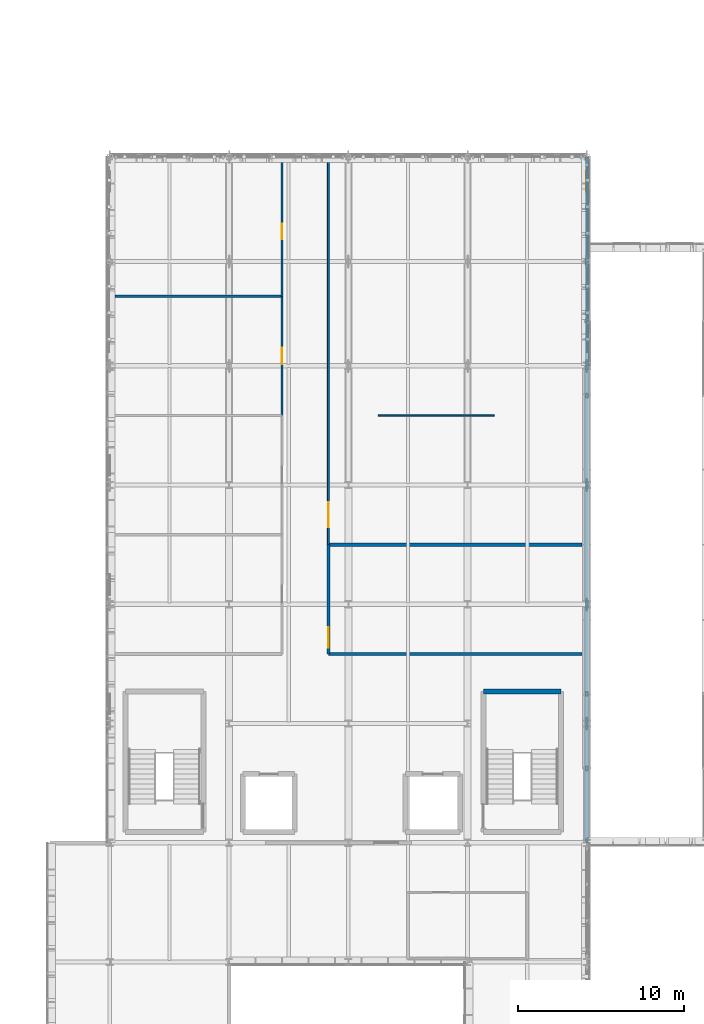
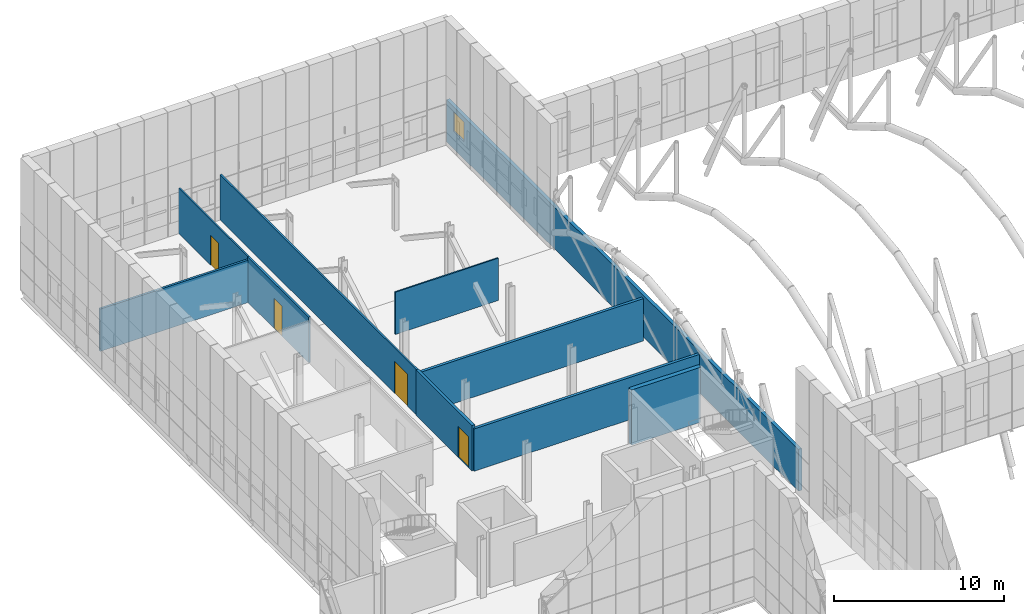
# One storey, part 102 of 144: 10 walls, 4 doors, 1 window, 5 openings.
"""IFC4 building model written with IfcOpenShell, lengths in metres."""

import ifcopenshell
import ifcopenshell.guid

model = None  # the IFC model being written
_history = None  # IfcOwnerHistory: only IFC2X3 demands one
_inside = {}  # id of a spatial element -> (the spatial element, [elements in it])
_under = {}  # id of a project, library or spatial element -> (it, [spatial elements below it])
_declared = {}  # id of a project -> (the project, [libraries it declares])
_typed = {}  # id of a type object -> (the type object, [elements of that type])
_made_of = {}  # id of a material, layer set ... -> (it, [elements and type objects made of it])


def new_model(schema):
    """Start an empty IFC model of exactly this schema.

    Asked for "IFC4X3", IfcOpenShell would pick the latest addendum, in which some entities
    have other attributes; the version numbers below select the first issue.
    IFC2X3 requires an IfcOwnerHistory on every rooted entity: one is made here for all.
    """
    global model, _history
    if schema == "IFC4X3":
        model = ifcopenshell.file(schema_version=(4, 3, 0, 0))
    else:
        model = ifcopenshell.file(schema=schema)
    _inside.clear()
    _under.clear()
    _declared.clear()
    _typed.clear()
    _made_of.clear()
    _history = None
    if model.schema == "IFC2X3":
        org = make("IfcOrganization", Name="unknown")
        user = make(
            "IfcPersonAndOrganization",
            ThePerson=make("IfcPerson", FamilyName="unknown"),
            TheOrganization=org,
        )
        app = make(
            "IfcApplication",
            ApplicationDeveloper=org,
            Version="unknown",
            ApplicationFullName="unknown",
            ApplicationIdentifier="unknown",
        )
        _history = make(
            "IfcOwnerHistory",
            OwningUser=user,
            OwningApplication=app,
            ChangeAction="ADDED",
            CreationDate=0,
        )
    return model


def make(cls, **values):
    """One entity of the class cls with the attributes given. An attribute that is None is left unset."""
    return model.create_entity(
        cls, **{name: value for name, value in values.items() if value is not None}
    )


def rooted(cls, **values):
    """An entity with a GlobalId (a new one), such as an element, a storey or a relation."""
    return make(cls, GlobalId=ifcopenshell.guid.new(), OwnerHistory=_history, **values)


def si_unit(unit_type, name, prefix=None):
    """IfcSIUnit, for example si_unit("LENGTHUNIT", "METRE", prefix="MILLI")."""
    return make("IfcSIUnit", UnitType=unit_type, Prefix=prefix, Name=name)


def assignment(units):
    """IfcUnitAssignment: the units of a project."""
    return None if units is None else make("IfcUnitAssignment", Units=units)


def point(xyz):
    """IfcCartesianPoint."""
    return None if xyz is None else make("IfcCartesianPoint", Coordinates=xyz)


def direction(xyz):
    """IfcDirection."""
    return None if xyz is None else make("IfcDirection", DirectionRatios=xyz)


def frame(location, z_axis=None, x_axis=None):
    """IfcAxis2Placement3D, a coordinate frame: its origin and axes. An axis left out is left unset."""
    return make(
        "IfcAxis2Placement3D",
        Location=point(location),
        Axis=direction(z_axis),
        RefDirection=direction(x_axis),
    )


def frame_2d(location, x_axis=None):
    """IfcAxis2Placement2D, a coordinate frame in the plane: its origin and x axis."""
    return make(
        "IfcAxis2Placement2D", Location=point(location), RefDirection=direction(x_axis)
    )


def origin():
    """The frame at (0, 0, 0) with its axes left unset."""
    return frame((0.0, 0.0, 0.0))


def place(relative_to, where):
    """IfcLocalPlacement: puts the frame where relative to a parent placement (None: the world)."""
    return make(
        "IfcLocalPlacement", PlacementRelTo=relative_to, RelativePlacement=where
    )


def context(
    kind, dimensions, precision=None, world=None, true_north=None, identifier=None
):
    """IfcGeometricRepresentationContext, for example the 3D "Model" context."""
    return make(
        "IfcGeometricRepresentationContext",
        ContextIdentifier=identifier,
        ContextType=kind,
        CoordinateSpaceDimension=dimensions,
        Precision=precision,
        WorldCoordinateSystem=world,
        TrueNorth=true_north,
    )


def subcontext(parent, identifier, kind, view, scale=None):
    """IfcGeometricRepresentationSubContext, for example "Body" below "Model"."""
    return make(
        "IfcGeometricRepresentationSubContext",
        ContextIdentifier=identifier,
        ContextType=kind,
        ParentContext=parent,
        TargetScale=scale,
        TargetView=view,
    )


def project(units=None, contexts=None):
    """IfcProject with its units and contexts."""
    return rooted(
        "IfcProject",
        Name="project",
        RepresentationContexts=contexts,
        UnitsInContext=assignment(units),
    )


def spatial(cls, under=None, at=None, **own):
    """A site, building, storey or space (cls), placed at a placement, below another one or the project."""
    s = rooted(cls, ObjectPlacement=at, **own)
    if under is not None:
        _under.setdefault(under.id(), (under, []))[1].append(s)
    return s


def profile(cls, at=None, kind="AREA", **sizes):
    """A parametric profile (cls). Its sizes go by their IFC names, for example OverallWidth=200.0."""
    return make(cls, ProfileType=kind, Position=at, **sizes)


def rectangle(**sizes):
    """IfcRectangleProfileDef."""
    return profile("IfcRectangleProfileDef", **sizes)


def extrude(swept, where, along, depth):
    """IfcExtrudedAreaSolid: the profile swept, set in the frame where, extruded along a direction by depth."""
    return make(
        "IfcExtrudedAreaSolid",
        SweptArea=swept,
        Position=where,
        ExtrudedDirection=direction(along),
        Depth=depth,
    )


def shape(context_of_items, identifier, shape_type, items):
    """IfcShapeRepresentation: the items that make up one representation, for example the "Body"."""
    return make(
        "IfcShapeRepresentation",
        ContextOfItems=context_of_items,
        RepresentationIdentifier=identifier,
        RepresentationType=shape_type,
        Items=items,
    )


def material(Name=None, Category=None):
    """IfcMaterial."""
    return make("IfcMaterial", Name=Name, Category=Category)


def layer(
    of_material, thickness, ventilated=None, Name=None, Category=None, Priority=None
):
    """IfcMaterialLayer: one layer of a wall or slab, of a material (None: an air gap)."""
    return make(
        "IfcMaterialLayer",
        Material=of_material,
        LayerThickness=thickness,
        IsVentilated=ventilated,
        Name=Name,
        Category=Category,
        Priority=Priority,
    )


def layer_set(layers, Name=None):
    """IfcMaterialLayerSet."""
    return make("IfcMaterialLayerSet", MaterialLayers=layers, LayerSetName=Name)


def made_of(thing, what):
    """Note that an element or type object is made of a material, layer set ...; save() writes the relation."""
    if what is not None:
        _made_of.setdefault(what.id(), (what, []))[1].append(thing)
    return thing


def type_object(cls, material=None, **own):
    """A type object (cls), such as IfcWallType, which elements share."""
    return made_of(rooted(cls, **own), material)


def element(
    cls,
    number,
    at=None,
    inside=None,
    cuts=None,
    type_object=None,
    material=None,
    context=None,
    identifier="Body",
    shape_type=None,
    held_by="IfcProductDefinitionShape",
    body=None,
    shapes=None,
    **own,
):
    """One element of the class cls, such as IfcWall. Its Tag is "e" and its number.

    at: its placement. inside: the storey or other place that contains it. cuts: it is an
    opening in that element (IfcRelVoidsElement). A single representation is given by context,
    identifier, shape_type and body (its items); several are given by shapes. held_by: the class
    of the entity that holds the representations. save() writes the other relations.
    """
    e = rooted(cls, Tag="e%d" % number, ObjectPlacement=at, **own)
    if body is not None:
        shapes = [shape(context, identifier, shape_type, body)]
    if shapes is not None:
        e.Representation = make(held_by, Representations=shapes)
    if inside is not None:
        _inside.setdefault(inside.id(), (inside, []))[1].append(e)
    if cuts is not None:
        rooted(
            "IfcRelVoidsElement", RelatingBuildingElement=cuts, RelatedOpeningElement=e
        )
    if type_object is not None:
        _typed.setdefault(type_object.id(), (type_object, []))[1].append(e)
    return made_of(e, material)


def fill(opening, filler):
    """IfcRelFillsElement: the door or window that sits in an opening."""
    return rooted(
        "IfcRelFillsElement",
        RelatingOpeningElement=opening,
        RelatedBuildingElement=filler,
    )


def aggregate(whole, parts):
    """IfcRelAggregates: a whole, such as a stair, and the parts it consists of."""
    return rooted("IfcRelAggregates", RelatingObject=whole, RelatedObjects=parts)


def save(model, path):
    """Write the relations noted so far, then the file.

    IfcRelAggregates (storeys below a building ...), IfcRelContainedInSpatialStructure (elements
    in a storey), IfcRelDefinesByType, IfcRelAssociatesMaterial and IfcRelDeclares: one each for
    every whole, place, type object, material and project.
    """
    for whole, parts in _under.values():
        aggregate(whole, parts)
    for where, things in _inside.values():
        rooted(
            "IfcRelContainedInSpatialStructure",
            RelatedElements=things,
            RelatingStructure=where,
        )
    for kind, things in _typed.values():
        rooted("IfcRelDefinesByType", RelatedObjects=things, RelatingType=kind)
    for what, things in _made_of.values():
        rooted("IfcRelAssociatesMaterial", RelatedObjects=things, RelatingMaterial=what)
    for by, libraries in _declared.values():
        rooted("IfcRelDeclares", RelatingContext=by, RelatedDefinitions=libraries)
    model.write(path)


model = new_model("IFC4")

# Units and contexts
model_context = context("Model", 3, precision=1e-05, world=origin(), true_north=direction((0.0, 1.0)))
body_context = subcontext(model_context, "Body", "Model", "MODEL_VIEW")
ifc_project = project(units=[si_unit("LENGTHUNIT", "METRE"), si_unit("AREAUNIT", "SQUARE_METRE"), si_unit("VOLUMEUNIT", "CUBIC_METRE"), si_unit("PLANEANGLEUNIT", "RADIAN"), si_unit("MASSUNIT", "GRAM", prefix="KILO")], contexts=[model_context])

# Site, building, storey
site_placement = place(None, origin())
site = spatial("IfcSite", under=ifc_project, at=site_placement, CompositionType="ELEMENT")
building_placement = place(site_placement, origin())
building = spatial("IfcBuilding", under=site, at=building_placement, Name="Yarey Park Central Fire Station", CompositionType="ELEMENT")
storey_placement = place(building_placement, frame((0.0, 0.0, 10.199951171875)))
storey = spatial("IfcBuildingStorey", under=building, at=storey_placement, Name="L03", CompositionType="ELEMENT", Elevation=10.199951171875)

# Wall, opening, window
ifc_material_1 = material(Name="Concrete C35/45", Category="concrete")
ifc_layer_1 = layer(ifc_material_1, 0.22998046875)
ifc_layer_set_1 = layer_set([ifc_layer_1], Name="Concrete C35/45")
wall_type_1 = type_object("IfcWallType", Name="ENV_WALL_INS230", PredefinedType="STANDARD", material=ifc_layer_set_1)
wall_1_placement = place(storey_placement, frame((57.60009765625, 57.60009765625, 0.0), z_axis=(0.0, 0.0, 1.0), x_axis=(0.0, 1.0, 0.0)))
wall_1 = element("IfcWall", 1, at=wall_1_placement, inside=storey, type_object=wall_type_1, Name="EW_L03_V3_E", PredefinedType="STANDARD", context=body_context, shape_type="SweptSolid", body=[
    extrude(rectangle(XDim=41.39990234375, YDim=0.22998046875, at=frame_2d((20.699951171875, 0.0))), origin(), (0.0, 0.0, 1.0), 3.0),
])
opening_1_placement = place(wall_1_placement, frame((39.300048828125, 0.0, 1.25)))
opening_1 = element("IfcOpeningElement", 2, at=opening_1_placement, cuts=wall_1, Name="Opening WN-DT126", PredefinedType="OPENING", context=body_context, shape_type="SweptSolid", body=[
    extrude(rectangle(XDim=1.260009765625, YDim=1.3798828125, at=frame_2d((0.6298828125, 0.68994140625))), frame((0.0, 0.125, 0.0), z_axis=(0.0, -1.0, 0.0), x_axis=(1.0, 0.0, 0.0)), (0.0, 0.0, 1.0), 0.25),
])
ifc_material_2 = material(Name="Laminated Hurricane Low-E Glass", Category="glass")
window_type = type_object("IfcWindowType", Name="ENV_WIN_DT_126", PartitioningType="SINGLE_PANEL", PredefinedType="WINDOW", material=ifc_material_2)
window_placement = place(opening_1_placement, origin())
window = element("IfcWindow", 3, at=window_placement, inside=storey, type_object=window_type, Name="WIN_L03_EAST_1", OverallHeight=1.3798828125, OverallWidth=1.260009765625, PartitioningType="SINGLE_PANEL", PredefinedType="WINDOW", context=body_context, shape_type="SweptSolid", body=[
    extrude(rectangle(XDim=1.260009765625, YDim=1.3798828125, at=frame_2d((0.6298828125, 0.68994140625))), frame((0.0, 0.030029296875, 0.0), z_axis=(0.0, -1.0, 0.0), x_axis=(1.0, 0.0, 0.0)), (0.0, 0.0, 1.0), 0.06005859375),
])
fill(opening_1, window)

# Walls
ifc_material_3 = material(Name="Concrete C40/50", Category="concrete")
ifc_layer_2 = layer(ifc_material_3, 0.300048828125)
ifc_layer_set_2 = layer_set([ifc_layer_2], Name="Concrete C40/50")
wall_type_2 = type_object("IfcWallType", Name="INT_CORE_RC300", PredefinedType="SHEAR", material=ifc_layer_set_2)
wall_2_placement = place(storey_placement, frame((56.050048828125, 66.75, 0.0), z_axis=(0.0, 0.0, 1.0), x_axis=(-1.0, 0.0, 0.0)))
element("IfcWall", 4, at=wall_2_placement, inside=storey, type_object=wall_type_2, Name="CWALL_C4_L03_N", PredefinedType="SHEAR", context=body_context, shape_type="SweptSolid", body=[
    extrude(rectangle(XDim=4.699951171875, YDim=0.300048828125, at=frame_2d((2.35009765625, 0.0))), origin(), (0.0, 0.0, 1.0), 3.949951171875),
])
ifc_material_4 = material(Name="Gypsum Shaftliner Assembly", Category="gypsum")
ifc_layer_3 = layer(ifc_material_4, 0.14990234375)
ifc_layer_set_3 = layer_set([ifc_layer_3], Name="Gypsum Shaftliner Assembly")
wall_type_3 = type_object("IfcWallType", Name="INT_WALL_AC150", PredefinedType="STANDARD", material=ifc_layer_set_3)
wall_3_placement = place(storey_placement, frame((39.199951171875, 90.60009765625, 0.0), z_axis=(0.0, 0.0, 1.0), x_axis=(-1.0, 0.0, 0.0)))
element("IfcWall", 5, at=wall_3_placement, inside=storey, type_object=wall_type_3, Name="PART_SPC_L03_DORM_W3_NORTH", PredefinedType="STANDARD", context=body_context, shape_type="SweptSolid", body=[
    extrude(rectangle(XDim=10.099853515625, YDim=0.14990234375, at=frame_2d((5.0498046875, 0.0))), origin(), (0.0, 0.0, 1.0), 3.0380859375),
])
ifc_layer_4 = layer(ifc_material_1, 0.18994140625)
ifc_layer_set_4 = layer_set([ifc_layer_4], Name="Concrete C35/45")
wall_type_4 = type_object("IfcWallType", Name="INT_WALL_CMU190", PredefinedType="STANDARD", material=ifc_layer_set_4)
for number, where, z_axis, x_axis, name in (
    (6, (42.0, 69.0, 0.0), (0.0, 0.0, 1.0), (1.0, 0.0, 0.0), "PART_SPC_L03_KITCHEN_SOUTH"),
    (7, (57.300048828125, 75.60009765625, 0.0), (0.0, 0.0, 1.0), (-1.0, 0.0, 0.0), "PART_SPC_L03_KITCHEN_NORTH"),
):
    element("IfcWall", number, at=place(storey_placement, frame(where, z_axis=z_axis, x_axis=x_axis)), inside=storey, type_object=wall_type_4, Name=name, PredefinedType="STANDARD", context=body_context, shape_type="SweptSolid", body=[
        extrude(rectangle(XDim=15.300048828125, YDim=0.18994140625, at=frame_2d((7.64990234375, 0.0))), origin(), (0.0, 0.0, 1.0), 3.0380859375),
    ])

# Wall, opening, door
wall_4_placement = place(storey_placement, frame((42.0, 75.60009765625, 0.0), z_axis=(0.0, 0.0, 1.0), x_axis=(0.0, -1.0, 0.0)))
wall_4 = element("IfcWall", 8, at=wall_4_placement, inside=storey, type_object=wall_type_4, Name="PART_SPC_L03_KITCHEN_WEST", PredefinedType="STANDARD", context=body_context, shape_type="SweptSolid", body=[
    extrude(rectangle(XDim=6.60009765625, YDim=0.18994140625, at=frame_2d((3.300048828125, 0.0))), origin(), (0.0, 0.0, 1.0), 3.257080078125),
])
opening_2_placement = place(wall_4_placement, frame((4.97998046875, 0.0, 0.0)))
opening_2 = element("IfcOpeningElement", 9, at=opening_2_placement, cuts=wall_4, Name="Opening FD-124", PredefinedType="OPENING", context=body_context, shape_type="SweptSolid", body=[
    extrude(rectangle(XDim=1.239990234375, YDim=2.199951171875, at=frame_2d((0.6201171875, 1.10009765625))), frame((0.0, 0.10498046875, 0.0), z_axis=(0.0, -1.0, 0.0), x_axis=(1.0, 0.0, 0.0)), (0.0, 0.0, 1.0), 0.2099609375),
])
ifc_material_5 = material(Name="Galvanized Hollow Metal Door", Category="metal")
door_type_1 = type_object("IfcDoorType", Name="DR_FD_1240", OperationType="NOTDEFINED", PredefinedType="DOOR", material=ifc_material_5)
door_1_placement = place(opening_2_placement, origin())
door_1 = element("IfcDoor", 10, at=door_1_placement, inside=storey, type_object=door_type_1, Name="DOOR_SPC_L03_KITCHEN", OperationType="SINGLE_SWING_LEFT", OverallHeight=2.199951171875, OverallWidth=1.239990234375, PredefinedType="DOOR", context=body_context, shape_type="SweptSolid", body=[
    extrude(rectangle(XDim=1.239990234375, YDim=2.199951171875, at=frame_2d((0.6201171875, 1.10009765625))), frame((0.0, 0.02490234375, 0.0), z_axis=(0.0, -1.0, 0.0), x_axis=(1.0, 0.0, 0.0)), (0.0, 0.0, 1.0), 0.050048828125),
])
fill(opening_2, door_1)

# Wall
ifc_material_6 = material(Name="Operable Acoustic Panel Partition", Category="metal")
ifc_layer_5 = layer(ifc_material_6, 0.093994140625)
ifc_layer_set_5 = layer_set([ifc_layer_5], Name="Operable Acoustic Panel Partition")
wall_type_5 = type_object("IfcWallType", Name="INT_WALL_MOV094", PredefinedType="MOVABLE", material=ifc_layer_set_5)
wall_5_placement = place(storey_placement, frame((45.0, 83.39990234375, 0.0), z_axis=(0.0, 0.0, 1.0), x_axis=(1.0, 0.0, 0.0)))
element("IfcWall", 11, at=wall_5_placement, inside=storey, type_object=wall_type_5, Name="MOV_L03_DINING", PredefinedType="MOVABLE", context=body_context, shape_type="SweptSolid", body=[
    extrude(rectangle(XDim=7.0, YDim=0.093994140625, at=frame_2d((3.5, 0.0))), origin(), (0.0, 0.0, 1.0), 3.0380859375),
])

# Wall, opening, door
ifc_material_7 = material(Name="Gypsum Acoustic Partition", Category="gypsum")
ifc_layer_6 = layer(ifc_material_7, 0.10205078125)
ifc_layer_set_6 = layer_set([ifc_layer_6], Name="Gypsum Acoustic Partition")
wall_type_6 = type_object("IfcWallType", Name="INT_WALL_PT102", PredefinedType="STANDARD", material=ifc_layer_set_6)
wall_6_placement = place(storey_placement, frame((39.199951171875, 90.60009765625, 0.0), z_axis=(0.0, 0.0, 1.0), x_axis=(0.0, 1.0, 0.0)))
wall_6 = element("IfcWall", 12, at=wall_6_placement, inside=storey, type_object=wall_type_6, Name="PART_SPC_L03_SHOWER_W_EAST", PredefinedType="STANDARD", context=body_context, shape_type="SweptSolid", body=[
    extrude(rectangle(XDim=8.099853515625, YDim=0.10205078125, at=frame_2d((4.0498046875, 0.0))), origin(), (0.0, 0.0, 1.0), 3.257080078125),
])
opening_3_placement = place(wall_6_placement, frame((3.429931640625, 0.0, 0.0)))
opening_3 = element("IfcOpeningElement", 13, at=opening_3_placement, cuts=wall_6, Name="Opening WD-095", PredefinedType="OPENING", context=body_context, shape_type="SweptSolid", body=[
    extrude(rectangle(XDim=0.93994140625, YDim=2.1201171875, at=frame_2d((0.469970703125, 1.06005859375))), frame((0.0, 0.06103515625, 0.0), z_axis=(0.0, -1.0, 0.0), x_axis=(1.0, 0.0, 0.0)), (0.0, 0.0, 1.0), 0.1220703125),
])
ifc_material_8 = material(Name="Phenolic Moisture-Resistant Leaf", Category="wood")
door_type_2 = type_object("IfcDoorType", Name="DR_WC_950", OperationType="NOTDEFINED", PredefinedType="DOOR", material=ifc_material_8)
door_2_placement = place(opening_3_placement, origin())
door_2 = element("IfcDoor", 14, at=door_2_placement, inside=storey, type_object=door_type_2, Name="DOOR_SPC_L03_SHOWER_W", OperationType="SINGLE_SWING_RIGHT", OverallHeight=2.1201171875, OverallWidth=0.93994140625, PredefinedType="DOOR", context=body_context, shape_type="SweptSolid", body=[
    extrude(rectangle(XDim=0.93994140625, YDim=2.1201171875, at=frame_2d((0.469970703125, 1.06005859375))), frame((0.0, 0.02490234375, 0.0), z_axis=(0.0, -1.0, 0.0), x_axis=(1.0, 0.0, 0.0)), (0.0, 0.0, 1.0), 0.050048828125),
])
fill(opening_3, door_2)

ifc_layer_7 = layer(ifc_material_7, 0.117919921875)
ifc_layer_set_7 = layer_set([ifc_layer_7], Name="Gypsum Acoustic Partition")
wall_type_7 = type_object("IfcWallType", Name="INT_WALL_PT118", PredefinedType="STANDARD", material=ifc_layer_set_7)
wall_7_placement = place(storey_placement, frame((42.0, 98.699951171875, 0.0), z_axis=(0.0, 0.0, 1.0), x_axis=(0.0, -1.0, 0.0)))
wall_7 = element("IfcWall", 15, at=wall_7_placement, inside=storey, type_object=wall_type_7, Name="PART_SPC_L03_DINING_WEST", PredefinedType="STANDARD", context=body_context, shape_type="SweptSolid", body=[
    extrude(rectangle(XDim=23.099853515625, YDim=0.117919921875, at=frame_2d((11.5498046875, 0.0))), origin(), (0.0, 0.0, 1.0), 3.257080078125),
])
opening_4_placement = place(wall_7_placement, frame((20.5400390625, 0.0, 0.0)))
opening_4 = element("IfcOpeningElement", 16, at=opening_4_placement, cuts=wall_7, Name="Opening ID-152", PredefinedType="OPENING", context=body_context, shape_type="SweptSolid", body=[
    extrude(rectangle(XDim=1.52001953125, YDim=2.300048828125, at=frame_2d((0.760009765625, 1.14990234375))), frame((0.0, 0.06884765625, 0.0), z_axis=(0.0, -1.0, 0.0), x_axis=(1.0, 0.0, 0.0)), (0.0, 0.0, 1.0), 0.137939453125),
])
ifc_material_9 = material(Name="Hardwood Acoustic Leaf", Category="wood")
door_type_3 = type_object("IfcDoorType", Name="DR_INT_1520", OperationType="NOTDEFINED", PredefinedType="DOOR", material=ifc_material_9)
door_3_placement = place(opening_4_placement, origin())
door_3 = element("IfcDoor", 17, at=door_3_placement, inside=storey, type_object=door_type_3, Name="DOOR_SPC_L03_DINING", OperationType="SINGLE_SWING_RIGHT", OverallHeight=2.300048828125, OverallWidth=1.52001953125, PredefinedType="DOOR", context=body_context, shape_type="SweptSolid", body=[
    extrude(rectangle(XDim=1.52001953125, YDim=2.300048828125, at=frame_2d((0.760009765625, 1.14990234375))), frame((0.0, 0.02490234375, 0.0), z_axis=(0.0, -1.0, 0.0), x_axis=(1.0, 0.0, 0.0)), (0.0, 0.0, 1.0), 0.050048828125),
])
fill(opening_4, door_3)

ifc_layer_8 = layer(ifc_material_7, 0.134033203125)
ifc_layer_set_8 = layer_set([ifc_layer_8], Name="Gypsum Acoustic Partition")
wall_type_8 = type_object("IfcWallType", Name="INT_WALL_PT134", PredefinedType="STANDARD", material=ifc_layer_set_8)
wall_8_placement = place(storey_placement, frame((39.199951171875, 83.39990234375, 0.0), z_axis=(0.0, 0.0, 1.0), x_axis=(0.0, 1.0, 0.0)))
wall_8 = element("IfcWall", 18, at=wall_8_placement, inside=storey, type_object=wall_type_8, Name="PART_SPC_L03_DORM_W3_EAST", PredefinedType="STANDARD", context=body_context, shape_type="SweptSolid", body=[
    extrude(rectangle(XDim=7.2001953125, YDim=0.134033203125, at=frame_2d((3.60009765625, 0.0))), origin(), (0.0, 0.0, 1.0), 3.257080078125),
])
opening_5_placement = place(wall_8_placement, frame((3.110107421875, 0.0, 0.0)))
opening_5 = element("IfcOpeningElement", 19, at=opening_5_placement, cuts=wall_8, Name="Opening DD-098", PredefinedType="OPENING", context=body_context, shape_type="SweptSolid", body=[
    extrude(rectangle(XDim=0.97998046875, YDim=2.159912109375, at=frame_2d((0.489990234375, 1.080078125))), frame((0.0, 0.076904296875, 0.0), z_axis=(0.0, -1.0, 0.0), x_axis=(1.0, 0.0, 0.0)), (0.0, 0.0, 1.0), 0.154052734375),
])
door_type_4 = type_object("IfcDoorType", Name="DR_DORM_980", OperationType="NOTDEFINED", PredefinedType="DOOR", material=ifc_material_9)
door_4_placement = place(opening_5_placement, origin())
door_4 = element("IfcDoor", 20, at=door_4_placement, inside=storey, type_object=door_type_4, Name="DOOR_SPC_L03_DORM_W3", OperationType="SINGLE_SWING_LEFT", OverallHeight=2.159912109375, OverallWidth=0.97998046875, PredefinedType="DOOR", context=body_context, shape_type="SweptSolid", body=[
    extrude(rectangle(XDim=0.97998046875, YDim=2.159912109375, at=frame_2d((0.489990234375, 1.080078125))), frame((0.0, 0.02490234375, 0.0), z_axis=(0.0, -1.0, 0.0), x_axis=(1.0, 0.0, 0.0)), (0.0, 0.0, 1.0), 0.050048828125),
])
fill(opening_5, door_4)

save(model, "model.ifc")
